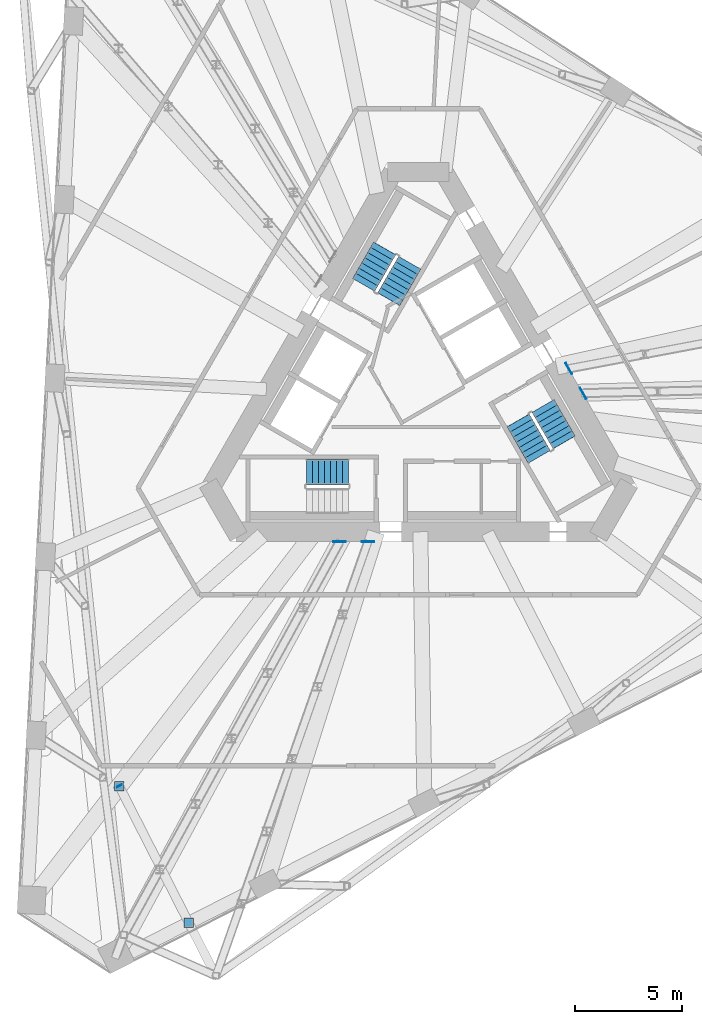
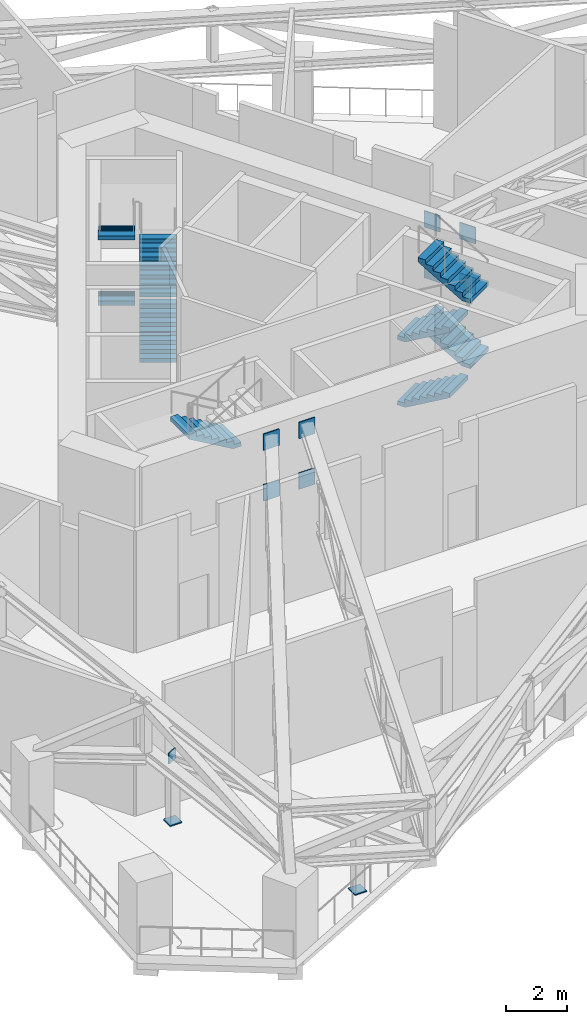
# One storey, part 19 of 26: 11 discrete accessories, 9 stair flights, 3 elements without a shape of their own.
"""IFC4 building model written with IfcOpenShell, lengths in metres."""

from ifc_helpers import new_model, si_unit, direction, frame, origin, origin_2d, place, context, subcontext, project, spatial, polyline, rectangle, outline, extrude, material, layer, layer_set, type_object, element, aggregate, save


model = new_model("IFC4")

# Units and contexts
model_context = context("Model", 3, precision=1e-05, world=origin(), true_north=direction((0.0, 1.0)))
body_context = subcontext(model_context, "Body", "Model", "MODEL_VIEW")
ifc_project = project(units=[si_unit("LENGTHUNIT", "METRE"), si_unit("AREAUNIT", "SQUARE_METRE"), si_unit("VOLUMEUNIT", "CUBIC_METRE"), si_unit("PLANEANGLEUNIT", "RADIAN"), si_unit("MASSUNIT", "GRAM", prefix="KILO")], contexts=[model_context])

# Site, building, storey
site_placement = place(None, origin())
site = spatial("IfcSite", under=ifc_project, at=site_placement, CompositionType="ELEMENT")
building_placement = place(site_placement, origin())
building = spatial("IfcBuilding", under=site, at=building_placement, Name="Tramontana Tower", CompositionType="ELEMENT")
storey_placement = place(building_placement, frame((0.0, 0.0, 157.60009765625)))
storey = spatial("IfcBuildingStorey", under=building, at=storey_placement, Name="L36", CompositionType="ELEMENT", Elevation=157.60009765625)

# Stair, stair flights
ifc_material_1 = material(Name="Concrete 40 MPa", Category="concrete")
stair_type = type_object("IfcStairType", Name="EXIT STAIR 32 RISERS", PredefinedType="HALF_TURN_STAIR", material=ifc_material_1)
stair_1_placement = place(storey_placement, origin())
stair_1 = element("IfcStair", 1, at=stair_1_placement, inside=storey, type_object=stair_type, Name="L36 Exit stair ST1", PredefinedType="HALF_TURN_STAIR")
ifc_material_2 = material(Name="Concrete 40 MPa", Category="concrete")
ifc_layer_1 = layer(ifc_material_2, 0.14990234375)
ifc_layer_set_1 = layer_set([ifc_layer_1], Name="EXIT STAIR FLIGHT")
stair_flight_type = type_object("IfcStairFlightType", Name="EXIT STAIR FLIGHT", PredefinedType="STRAIGHT", material=ifc_layer_set_1)
stair_flight_1_placement = place(storey_placement, frame((-1.39111328125, 4.590576171875, 0.0), z_axis=(0.0, 0.0, 1.0), x_axis=(0.5, 0.866025403784, 0.0)))
stair_flight_1 = element("IfcStairFlight", 2, at=stair_flight_1_placement, type_object=stair_flight_type, Name="ST1 flight 1", NumberOfRisers=8, NumberOfTreads=7, PredefinedType="STRAIGHT", RiserHeight=0.1625, TreadLength=0.28, context=body_context, shape_type="SweptSolid", body=[
    extrude(outline(polyline([(-0.006103515625, 0.0), (-0.006103515625, 0.0400390625), (0.0, 0.0400390625), (0.0, 0.16259765625), (0.280029296875, 0.16259765625), (0.280029296875, 0.324951171875), (0.56005859375, 0.324951171875), (0.56005859375, 0.487548828125), (0.840087890625, 0.487548828125), (0.840087890625, 0.64990234375), (1.1201171875, 0.64990234375), (1.1201171875, 0.8125), (1.39990234375, 0.8125), (1.39990234375, 0.97509765625), (1.679931640625, 0.97509765625), (1.679931640625, 1.137451171875), (1.9599609375, 1.137451171875), (1.966064453125, 1.137451171875), (1.966064453125, 0.964111328125), (0.3046875, 0.0), (-0.006103515625, 0.0)])), frame((0.0, 0.60009765625, 0.0), z_axis=(0.0, -1.0, 0.0), x_axis=(1.0, 0.0, 0.0)), (0.0, 0.0, 1.0), 1.199951171875),
])
stair_flight_2_placement = place(storey_placement, frame((-1.580322265625, 6.962890625, 1.2998046875), z_axis=(0.0, 0.0, 1.0), x_axis=(-0.5, -0.866025403784, 0.0)))
stair_flight_2 = element("IfcStairFlight", 3, at=stair_flight_2_placement, type_object=stair_flight_type, Name="ST1 flight 2", NumberOfRisers=8, NumberOfTreads=7, PredefinedType="STRAIGHT", RiserHeight=0.1625, TreadLength=0.28, context=body_context, shape_type="SweptSolid", body=[
    extrude(outline(polyline([(-0.006103515625, 0.0), (-0.006103515625, 0.0400390625), (0.0, 0.0400390625), (0.0, 0.16259765625), (0.280029296875, 0.16259765625), (0.280029296875, 0.324951171875), (0.56005859375, 0.324951171875), (0.56005859375, 0.487548828125), (0.840087890625, 0.487548828125), (0.840087890625, 0.64990234375), (1.1201171875, 0.64990234375), (1.1201171875, 0.8125), (1.39990234375, 0.8125), (1.39990234375, 0.97509765625), (1.679931640625, 0.97509765625), (1.679931640625, 1.137451171875), (1.9599609375, 1.137451171875), (1.966064453125, 1.137451171875), (1.966064453125, 0.964111328125), (0.3046875, 0.0), (-0.006103515625, 0.0)])), frame((0.0, 0.60009765625, 0.0), z_axis=(0.0, -1.0, 0.0), x_axis=(1.0, 0.0, 0.0)), (0.0, 0.0, 1.0), 1.199951171875),
])
stair_flight_3_placement = place(storey_placement, frame((-1.39111328125, 4.590576171875, 2.599853515625), z_axis=(0.0, 0.0, 1.0), x_axis=(0.5, 0.866025403784, 0.0)))
stair_flight_3 = element("IfcStairFlight", 4, at=stair_flight_3_placement, type_object=stair_flight_type, Name="ST1 flight 3", NumberOfRisers=8, NumberOfTreads=7, PredefinedType="STRAIGHT", RiserHeight=0.1625, TreadLength=0.28, context=body_context, shape_type="SweptSolid", body=[
    extrude(outline(polyline([(-0.006103515625, 0.0), (-0.006103515625, 0.0400390625), (0.0, 0.0400390625), (0.0, 0.16259765625), (0.280029296875, 0.16259765625), (0.280029296875, 0.324951171875), (0.56005859375, 0.324951171875), (0.56005859375, 0.487548828125), (0.840087890625, 0.487548828125), (0.840087890625, 0.64990234375), (1.1201171875, 0.64990234375), (1.1201171875, 0.8125), (1.39990234375, 0.8125), (1.39990234375, 0.97509765625), (1.679931640625, 0.97509765625), (1.679931640625, 1.137451171875), (1.9599609375, 1.137451171875), (1.966064453125, 1.137451171875), (1.966064453125, 0.964111328125), (0.3046875, 0.0), (-0.006103515625, 0.0)])), frame((0.0, 0.60009765625, 0.0), z_axis=(0.0, -1.0, 0.0), x_axis=(1.0, 0.0, 0.0)), (0.0, 0.0, 1.0), 1.199951171875),
])
stair_flight_4_placement = place(storey_placement, frame((-1.580322265625, 6.962890625, 3.89990234375), z_axis=(0.0, 0.0, 1.0), x_axis=(-0.5, -0.866025403784, 0.0)))
stair_flight_4 = element("IfcStairFlight", 5, at=stair_flight_4_placement, type_object=stair_flight_type, Name="ST1 flight 4", NumberOfRisers=8, NumberOfTreads=7, PredefinedType="STRAIGHT", RiserHeight=0.1625, TreadLength=0.28, context=body_context, shape_type="SweptSolid", body=[
    extrude(outline(polyline([(-0.006103515625, 0.0), (-0.006103515625, 0.0400390625), (0.0, 0.0400390625), (0.0, 0.16259765625), (0.280029296875, 0.16259765625), (0.280029296875, 0.324951171875), (0.56005859375, 0.324951171875), (0.56005859375, 0.487548828125), (0.840087890625, 0.487548828125), (0.840087890625, 0.64990234375), (1.1201171875, 0.64990234375), (1.1201171875, 0.8125), (1.39990234375, 0.8125), (1.39990234375, 0.97509765625), (1.679931640625, 0.97509765625), (1.679931640625, 1.137451171875), (1.9599609375, 1.137451171875), (1.966064453125, 1.137451171875), (1.966064453125, 0.964111328125), (0.3046875, 0.0), (-0.006103515625, 0.0)])), frame((0.0, 0.60009765625, 0.0), z_axis=(0.0, -1.0, 0.0), x_axis=(1.0, 0.0, 0.0)), (0.0, 0.0, 1.0), 1.199951171875),
])
aggregate(stair_1, [stair_flight_1, stair_flight_2, stair_flight_3, stair_flight_4])

# Stair, stair flight
stair_2_placement = place(storey_placement, origin())
stair_2 = element("IfcStair", 6, at=stair_2_placement, inside=storey, type_object=stair_type, Name="L36 Exit stair ST2", PredefinedType="HALF_TURN_STAIR")
stair_flight_5_placement = place(storey_placement, frame((-3.280029296875, -3.5, 2.599853515625), z_axis=(0.0, 0.0, 1.0), x_axis=(-1.0, 0.0, 0.0)))
stair_flight_5 = element("IfcStairFlight", 7, at=stair_flight_5_placement, type_object=stair_flight_type, Name="ST2 flight 3", NumberOfRisers=8, NumberOfTreads=7, PredefinedType="STRAIGHT", RiserHeight=0.1625, TreadLength=0.28, context=body_context, shape_type="SweptSolid", body=[
    extrude(outline(polyline([(-0.006103515625, 0.0), (-0.006103515625, 0.0400390625), (0.0, 0.0400390625), (0.0, 0.16259765625), (0.280029296875, 0.16259765625), (0.280029296875, 0.324951171875), (0.56005859375, 0.324951171875), (0.56005859375, 0.487548828125), (0.840087890625, 0.487548828125), (0.840087890625, 0.64990234375), (1.1201171875, 0.64990234375), (1.1201171875, 0.8125), (1.39990234375, 0.8125), (1.39990234375, 0.97509765625), (1.679931640625, 0.97509765625), (1.679931640625, 1.137451171875), (1.9599609375, 1.137451171875), (1.966064453125, 1.137451171875), (1.966064453125, 0.964111328125), (0.3046875, 0.0), (-0.006103515625, 0.0)])), frame((0.0, 0.60009765625, 0.0), z_axis=(0.0, -1.0, 0.0), x_axis=(1.0, 0.0, 0.0)), (0.0, 0.0, 1.0), 1.199951171875),
])
aggregate(stair_2, [stair_flight_5])

# Stair, stair flights
stair_3_placement = place(storey_placement, origin())
stair_3 = element("IfcStair", 8, at=stair_3_placement, inside=storey, type_object=stair_type, Name="L36 Exit stair ST3", PredefinedType="HALF_TURN_STAIR")
stair_flight_6_placement = place(storey_placement, frame((4.671142578125, -1.090576171875, 0.0), z_axis=(0.0, 0.0, 1.0), x_axis=(0.5, -0.866025403784, 0.0)))
stair_flight_6 = element("IfcStairFlight", 9, at=stair_flight_6_placement, type_object=stair_flight_type, Name="ST3 flight 1", NumberOfRisers=8, NumberOfTreads=7, PredefinedType="STRAIGHT", RiserHeight=0.1625, TreadLength=0.28, context=body_context, shape_type="SweptSolid", body=[
    extrude(outline(polyline([(-0.006103515625, 0.0), (-0.006103515625, 0.0400390625), (0.0, 0.0400390625), (0.0, 0.16259765625), (0.280029296875, 0.16259765625), (0.280029296875, 0.324951171875), (0.56005859375, 0.324951171875), (0.56005859375, 0.487548828125), (0.840087890625, 0.487548828125), (0.840087890625, 0.64990234375), (1.1201171875, 0.64990234375), (1.1201171875, 0.8125), (1.39990234375, 0.8125), (1.39990234375, 0.97509765625), (1.679931640625, 0.97509765625), (1.679931640625, 1.137451171875), (1.9599609375, 1.137451171875), (1.966064453125, 1.137451171875), (1.966064453125, 0.964111328125), (0.3046875, 0.0), (-0.006103515625, 0.0)])), frame((0.0, 0.60009765625, 0.0), z_axis=(0.0, -1.0, 0.0), x_axis=(1.0, 0.0, 0.0)), (0.0, 0.0, 1.0), 1.199951171875),
])
stair_flight_7_placement = place(storey_placement, frame((6.8203125, -2.113037109375, 1.2998046875), z_axis=(0.0, 0.0, 1.0), x_axis=(-0.5, 0.866025403784, 0.0)))
stair_flight_7 = element("IfcStairFlight", 10, at=stair_flight_7_placement, type_object=stair_flight_type, Name="ST3 flight 2", NumberOfRisers=8, NumberOfTreads=7, PredefinedType="STRAIGHT", RiserHeight=0.1625, TreadLength=0.28, context=body_context, shape_type="SweptSolid", body=[
    extrude(outline(polyline([(-0.006103515625, 0.0), (-0.006103515625, 0.0400390625), (0.0, 0.0400390625), (0.0, 0.16259765625), (0.280029296875, 0.16259765625), (0.280029296875, 0.324951171875), (0.56005859375, 0.324951171875), (0.56005859375, 0.487548828125), (0.840087890625, 0.487548828125), (0.840087890625, 0.64990234375), (1.1201171875, 0.64990234375), (1.1201171875, 0.8125), (1.39990234375, 0.8125), (1.39990234375, 0.97509765625), (1.679931640625, 0.97509765625), (1.679931640625, 1.137451171875), (1.9599609375, 1.137451171875), (1.966064453125, 1.137451171875), (1.966064453125, 0.964111328125), (0.3046875, 0.0), (-0.006103515625, 0.0)])), frame((0.0, 0.60009765625, 0.0), z_axis=(0.0, -1.0, 0.0), x_axis=(1.0, 0.0, 0.0)), (0.0, 0.0, 1.0), 1.199951171875),
])
stair_flight_8_placement = place(storey_placement, frame((4.671142578125, -1.090576171875, 2.599853515625), z_axis=(0.0, 0.0, 1.0), x_axis=(0.5, -0.866025403784, 0.0)))
stair_flight_8 = element("IfcStairFlight", 11, at=stair_flight_8_placement, type_object=stair_flight_type, Name="ST3 flight 3", NumberOfRisers=8, NumberOfTreads=7, PredefinedType="STRAIGHT", RiserHeight=0.1625, TreadLength=0.28, context=body_context, shape_type="SweptSolid", body=[
    extrude(outline(polyline([(-0.006103515625, 0.0), (-0.006103515625, 0.0400390625), (0.0, 0.0400390625), (0.0, 0.16259765625), (0.280029296875, 0.16259765625), (0.280029296875, 0.324951171875), (0.56005859375, 0.324951171875), (0.56005859375, 0.487548828125), (0.840087890625, 0.487548828125), (0.840087890625, 0.64990234375), (1.1201171875, 0.64990234375), (1.1201171875, 0.8125), (1.39990234375, 0.8125), (1.39990234375, 0.97509765625), (1.679931640625, 0.97509765625), (1.679931640625, 1.137451171875), (1.9599609375, 1.137451171875), (1.966064453125, 1.137451171875), (1.966064453125, 0.964111328125), (0.3046875, 0.0), (-0.006103515625, 0.0)])), frame((0.0, 0.60009765625, 0.0), z_axis=(0.0, -1.0, 0.0), x_axis=(1.0, 0.0, 0.0)), (0.0, 0.0, 1.0), 1.199951171875),
])
stair_flight_9_placement = place(storey_placement, frame((6.8203125, -2.113037109375, 3.89990234375), z_axis=(0.0, 0.0, 1.0), x_axis=(-0.5, 0.866025403784, 0.0)))
stair_flight_9 = element("IfcStairFlight", 12, at=stair_flight_9_placement, type_object=stair_flight_type, Name="ST3 flight 4", NumberOfRisers=8, NumberOfTreads=7, PredefinedType="STRAIGHT", RiserHeight=0.1625, TreadLength=0.28, context=body_context, shape_type="SweptSolid", body=[
    extrude(outline(polyline([(-0.006103515625, 0.0), (-0.006103515625, 0.0400390625), (0.0, 0.0400390625), (0.0, 0.16259765625), (0.280029296875, 0.16259765625), (0.280029296875, 0.324951171875), (0.56005859375, 0.324951171875), (0.56005859375, 0.487548828125), (0.840087890625, 0.487548828125), (0.840087890625, 0.64990234375), (1.1201171875, 0.64990234375), (1.1201171875, 0.8125), (1.39990234375, 0.8125), (1.39990234375, 0.97509765625), (1.679931640625, 0.97509765625), (1.679931640625, 1.137451171875), (1.9599609375, 1.137451171875), (1.966064453125, 1.137451171875), (1.966064453125, 0.964111328125), (0.3046875, 0.0), (-0.006103515625, 0.0)])), frame((0.0, 0.60009765625, 0.0), z_axis=(0.0, -1.0, 0.0), x_axis=(1.0, 0.0, 0.0)), (0.0, 0.0, 1.0), 1.199951171875),
])
aggregate(stair_3, [stair_flight_6, stair_flight_7, stair_flight_8, stair_flight_9])

# Discrete accessories
ifc_material_3 = material(Name="Steel ASTM A572 Grade 50", Category="steel")
ifc_layer_2 = layer(ifc_material_3, 0.0400390625)
ifc_layer_set_2 = layer_set([ifc_layer_2], Name="Base plate 450X450X40")
discrete_accessory_type_1 = type_object("IfcDiscreteAccessoryType", Name="Base plate 450X450X40", PredefinedType="ANCHORPLATE", material=ifc_layer_set_2)
for number, where, z_axis, x_axis, name in (
    (13, (-10.748291015625, -24.6123046875, 0.0), (0.0, 0.0, 1.0), (1.0, 0.0, 0.0), "Transfer truss post base plate C4K3.1"),
    (14, (-14.0068359375, -18.216796875, 0.0), (0.0, 0.0, 1.0), (1.0, 0.0, 0.0), "Transfer truss post base plate C4K3.2"),
):
    element("IfcDiscreteAccessory", number, at=place(storey_placement, frame(where, z_axis=z_axis, x_axis=x_axis)), inside=storey, type_object=discrete_accessory_type_1, Name=name, PredefinedType="ANCHORPLATE", context=body_context, shape_type="SweptSolid", body=[
        extrude(rectangle(XDim=0.449951171875, YDim=0.449951171875, at=origin_2d()), origin(), (0.0, 0.0, 1.0), 0.0400390625),
    ])
ifc_material_4 = material(Name="Steel ASTM A572 Grade 50", Category="steel")
ifc_layer_3 = layer(ifc_material_4, 0.0400390625)
ifc_layer_set_3 = layer_set([ifc_layer_3], Name="Cast-in plate 600X650X40")
discrete_accessory_type_2 = type_object("IfcDiscreteAccessoryType", Name="Cast-in plate 600X650X40", PredefinedType="ANCHORPLATE", material=ifc_layer_set_3)
for number, where, z_axis, x_axis, name in (
    (15, (-3.697998046875, -6.77001953125, 2.29248046875), (0.0, 0.0, 1.0), (1.0, 0.0, 0.0), "Cast-in plate Transfer truss 1 bottom chord"),
    (16, (-3.697998046875, -6.77001953125, 4.307373046875), (0.0, 0.0, 1.0), (1.0, 0.0, 0.0), "Cast-in plate Transfer truss 1 top chord"),
    (17, (-2.36181640625, -6.77001953125, 2.29248046875), (0.0, 0.0, 1.0), (1.0, 0.0, 0.0), "Cast-in plate Transfer truss 2 bottom chord"),
    (18, (-2.36181640625, -6.77001953125, 4.307373046875), (0.0, 0.0, 1.0), (1.0, 0.0, 0.0), "Cast-in plate Transfer truss 2 top chord"),
    (19, (7.7119140625, 0.1826171875, 2.29248046875), (0.0, 0.0, 1.0), (-0.5, 0.866025403784, 0.0), "Cast-in plate Transfer truss 3 bottom chord"),
    (20, (7.7119140625, 0.1826171875, 4.307373046875), (0.0, 0.0, 1.0), (-0.5, 0.866025403784, 0.0), "Cast-in plate Transfer truss 3 top chord"),
    (21, (7.0439453125, 1.339599609375, 2.29248046875), (0.0, 0.0, 1.0), (-0.5, 0.866025403784, 0.0), "Cast-in plate Transfer truss 4 bottom chord"),
    (22, (7.0439453125, 1.339599609375, 4.307373046875), (0.0, 0.0, 1.0), (-0.5, 0.866025403784, 0.0), "Cast-in plate Transfer truss 4 top chord"),
):
    element("IfcDiscreteAccessory", number, at=place(storey_placement, frame(where, z_axis=z_axis, x_axis=x_axis)), inside=storey, type_object=discrete_accessory_type_2, Name=name, PredefinedType="ANCHORPLATE", context=body_context, shape_type="SweptSolid", body=[
        extrude(rectangle(XDim=0.60009765625, YDim=0.0400390625, at=origin_2d()), origin(), (0.0, 0.0, 1.0), 0.64990234375),
    ])
ifc_material_5 = material(Name="Steel ASTM A572 Grade 50", Category="steel")
ifc_layer_4 = layer(ifc_material_5, 0.0400390625)
ifc_layer_set_4 = layer_set([ifc_layer_4], Name="End plate 413X435X40")
discrete_accessory_type_3 = type_object("IfcDiscreteAccessoryType", Name="End plate 413X435X40", PredefinedType="ANCHORPLATE", material=ifc_layer_set_4)
discrete_accessory_placement = place(storey_placement, frame((-14.01611328125, -18.19873046875, 2.39990234375), z_axis=(0.0, 0.0, 1.0), x_axis=(0.891006524188, 0.45399049974, 0.0)))
element("IfcDiscreteAccessory", 23, at=discrete_accessory_placement, inside=storey, type_object=discrete_accessory_type_3, Name="Transfer truss girder end plate C4K3.2", PredefinedType="ANCHORPLATE", context=body_context, shape_type="SweptSolid", body=[
    extrude(rectangle(XDim=0.412841796875, YDim=0.0400390625, at=origin_2d()), origin(), (0.0, 0.0, 1.0), 0.43505859375),
])

save(model, "model.ifc")
